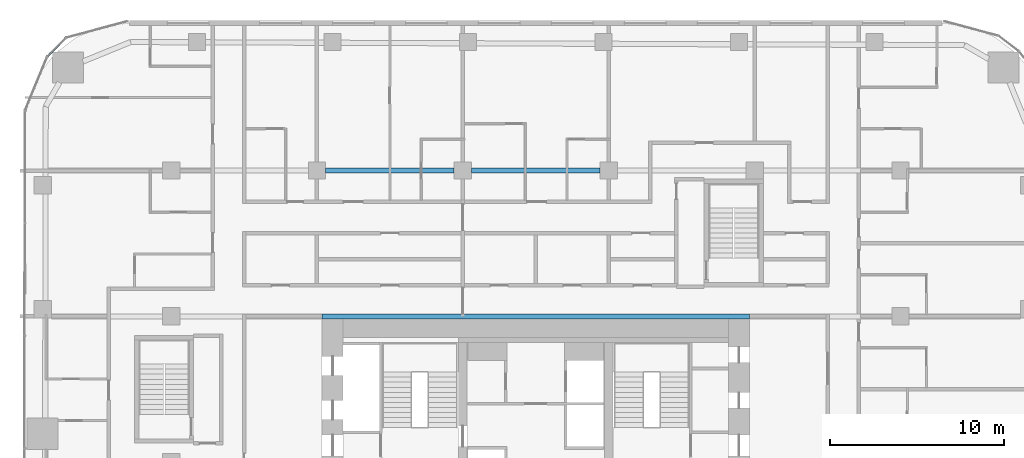
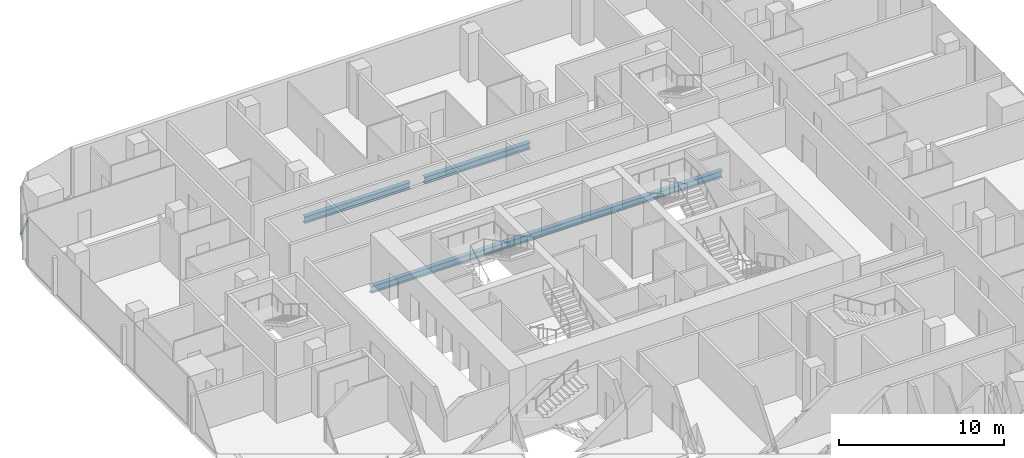
# One storey, part 9 of 26: 3 beams, 1 member, 1 element without a shape of its own.
"""IFC4 building model written with IfcOpenShell, lengths in metres."""

from ifc_helpers import new_model, si_unit, direction, frame, origin, origin_2d, place, context, subcontext, project, spatial, rectangle, i_section, extrude, material, layer, layer_set, material_profile, profile_set, type_object, element, aggregate, save


model = new_model("IFC4")

# Units and contexts
model_context = context("Model", 3, precision=1e-05, world=origin(), true_north=direction((0.0, 1.0)))
body_context = subcontext(model_context, "Body", "Model", "MODEL_VIEW")
ifc_project = project(units=[si_unit("LENGTHUNIT", "METRE"), si_unit("AREAUNIT", "SQUARE_METRE"), si_unit("VOLUMEUNIT", "CUBIC_METRE"), si_unit("PLANEANGLEUNIT", "RADIAN"), si_unit("MASSUNIT", "GRAM", prefix="KILO")], contexts=[model_context])

# Site, building, storey
site_placement = place(None, origin())
site = spatial("IfcSite", under=ifc_project, at=site_placement, CompositionType="ELEMENT")
building_placement = place(site_placement, origin())
building = spatial("IfcBuilding", under=site, at=building_placement, Name="Marenta Gate Hotel Tower", CompositionType="ELEMENT")
storey_placement = place(building_placement, frame((0.0, 0.0, 65.300048828125)))
storey = spatial("IfcBuildingStorey", under=building, at=storey_placement, Name="L14", CompositionType="ELEMENT", Elevation=65.300048828125)

# Beams
ifc_material_1 = material(Name="Steel S355", Category="steel")
ifc_material_profile_1 = material_profile(ifc_material_1, i_section(OverallWidth=0.300048828125, OverallDepth=0.5, WebThickness=0.014404296875, FlangeThickness=0.028076171875, FilletRadius=0.027099609375, at=origin_2d()), Name="HEB 500")
ifc_profile_set_1 = profile_set([ifc_material_profile_1], Name="Steel S355")
beam_type = type_object("IfcBeamType", Name="Girder HEB 500", PredefinedType="BEAM", material=ifc_profile_set_1)
beam_1_placement = place(storey_placement, frame((-12.300048828125, 16.800048828125, -0.510009765625), z_axis=(1.0, 0.0, 0.0), x_axis=(0.0, 1.0, 0.0)))
element("IfcBeam", 1, at=beam_1_placement, inside=storey, type_object=beam_type, Name="L14-GD-19", PredefinedType="BEAM", context=body_context, shape_type="SweptSolid", body=[
    extrude(i_section(OverallWidth=0.300048828125, OverallDepth=0.5, WebThickness=0.014404296875, FlangeThickness=0.028076171875, FilletRadius=0.027099609375, at=origin_2d()), origin(), (0.0, 0.0, 1.0), 24.60009765625),
])
beam_2_placement = place(storey_placement, frame((-12.10009765625, 25.199951171875, -0.510009765625), z_axis=(1.0, 0.0, 0.0), x_axis=(0.0, 1.0, 0.0)))
element("IfcBeam", 2, at=beam_2_placement, inside=storey, type_object=beam_type, Name="L14-GD-24", PredefinedType="BEAM", context=body_context, shape_type="SweptSolid", body=[
    extrude(i_section(OverallWidth=0.300048828125, OverallDepth=0.5, WebThickness=0.014404296875, FlangeThickness=0.028076171875, FilletRadius=0.027099609375, at=origin_2d()), origin(), (0.0, 0.0, 1.0), 7.400146484375),
])
beam_3_placement = place(storey_placement, frame((-3.699951171875, 25.199951171875, -0.510009765625), z_axis=(1.0, 0.0, 0.0), x_axis=(0.0, 1.0, 0.0)))
element("IfcBeam", 3, at=beam_3_placement, inside=storey, type_object=beam_type, Name="L14-GD-25", PredefinedType="BEAM", context=body_context, shape_type="SweptSolid", body=[
    extrude(i_section(OverallWidth=0.300048828125, OverallDepth=0.5, WebThickness=0.014404296875, FlangeThickness=0.028076171875, FilletRadius=0.027099609375, at=origin_2d()), origin(), (0.0, 0.0, 1.0), 7.39990234375),
])

# Curtain wall, member
ifc_material_2 = material(Name="Tinted insulated glass in bronze anodised frame", Category="glass")
ifc_layer = layer(ifc_material_2, 0.1201171875)
ifc_layer_set = layer_set([ifc_layer], Name="Tinted insulated glass in bronze anodised frame")
curtain_wall_type = type_object("IfcCurtainWallType", Name="Tower unitised curtain wall CW1", PredefinedType="NOTDEFINED", material=ifc_layer_set)
curtain_wall_placement = place(storey_placement, origin())
curtain_wall = element("IfcCurtainWall", 4, at=curtain_wall_placement, inside=storey, type_object=curtain_wall_type, Name="CW1 run G01", PredefinedType="NOTDEFINED")
ifc_material_3 = material(Name="Bronze anodised aluminium", Category="aluminium")
ifc_material_profile_2 = material_profile(ifc_material_3, rectangle(XDim=0.1201171875, YDim=0.06005859375, at=origin_2d()), Name="Transom CW1 60x120 bronze anodised aluminium")
ifc_profile_set_2 = profile_set([ifc_material_profile_2], Name="Bronze anodised aluminium")
member_type = type_object("IfcMemberType", Name="Transom CW1 60x120 bronze anodised aluminium", PredefinedType="USERDEFINED", material=ifc_profile_set_2)
member_placement = place(storey_placement, frame((-27.082275390625, 32.80859375, 0.030029296875), z_axis=(-0.707106781187, -0.707106781187, 0.0), x_axis=(0.707106781187, -0.707106781187, 0.0)))
member = element("IfcMember", 5, at=member_placement, type_object=member_type, Name="CW1 transom 1.1", ObjectType="TRANSOM", PredefinedType="USERDEFINED", context=body_context, shape_type="SweptSolid", body=[
    extrude(rectangle(XDim=0.1201171875, YDim=0.06005859375, at=origin_2d()), origin(), (0.0, 0.0, 1.0), 1.48291015625),
])
aggregate(curtain_wall, [member])

save(model, "model.ifc")
